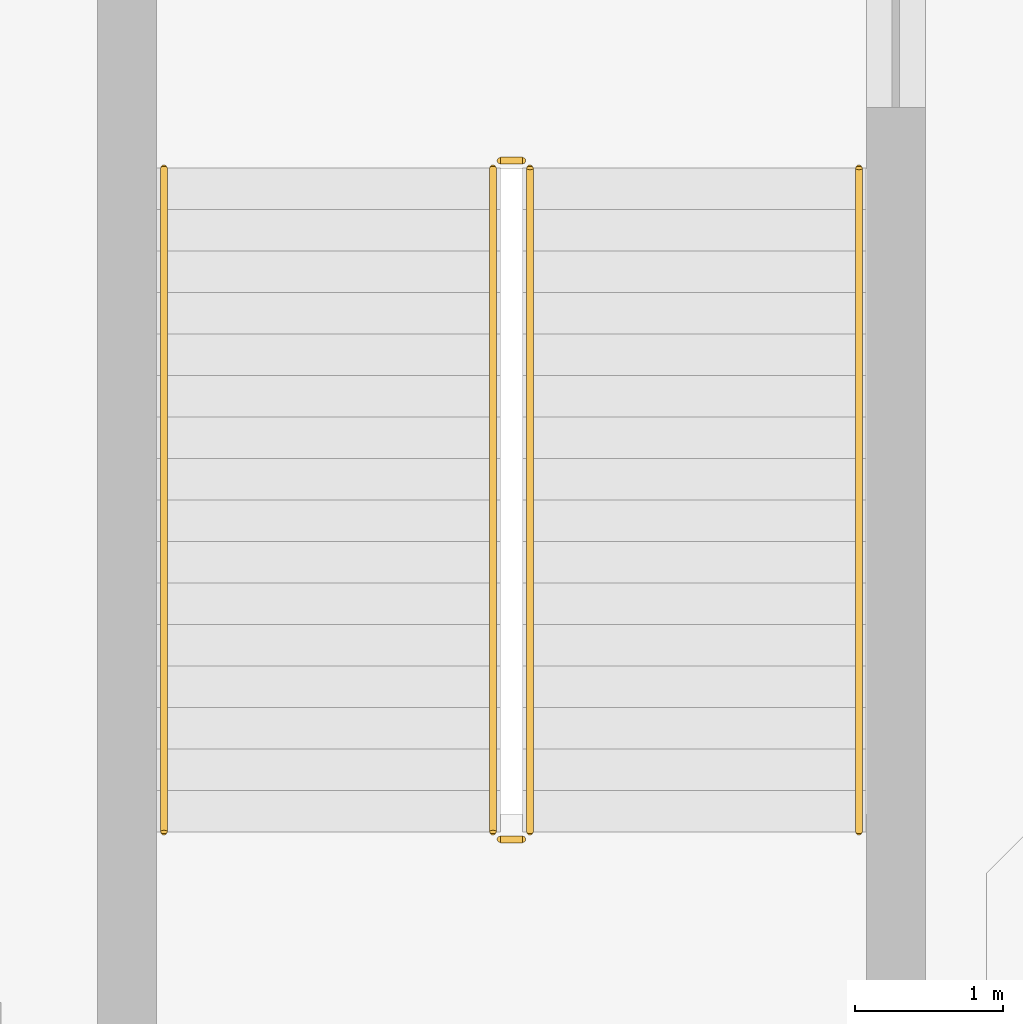
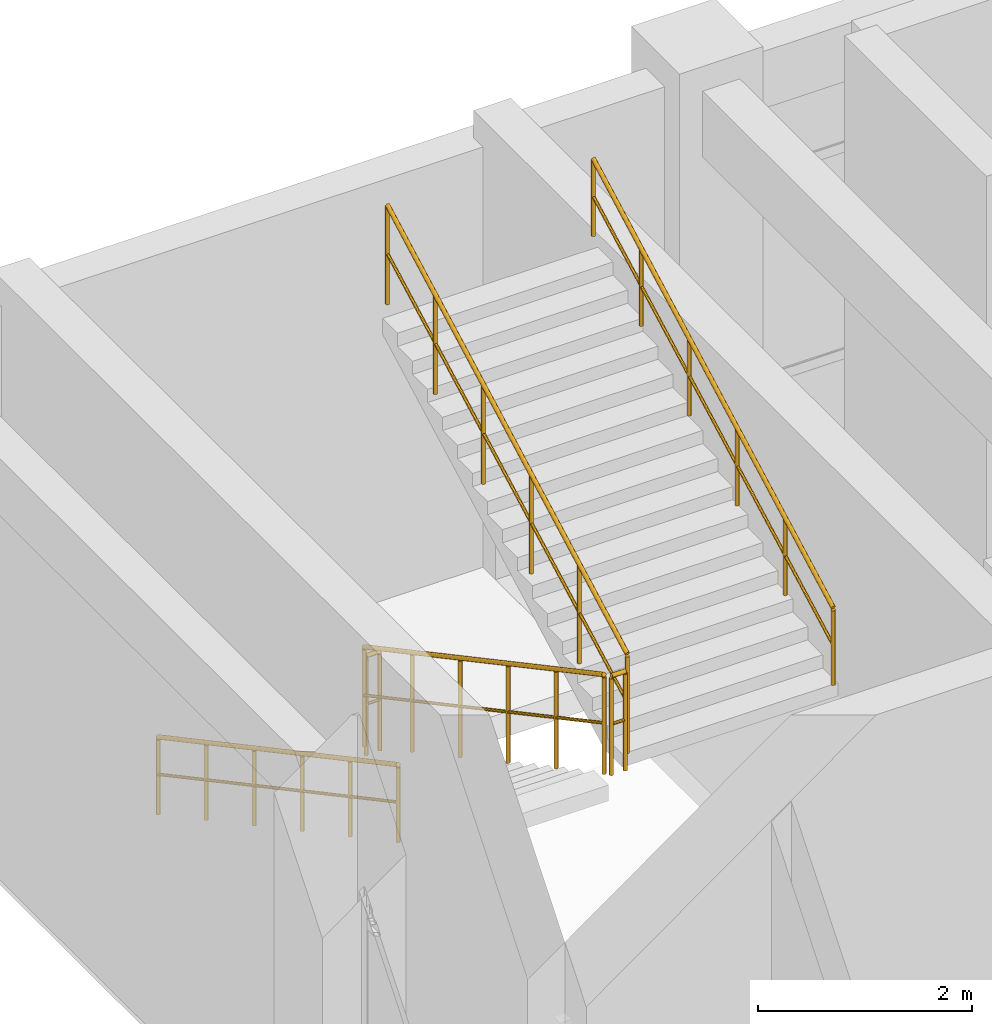
# One storey, part 116 of 120: 6 railings.
"""IFC4 building model written with IfcOpenShell, lengths in metres."""

import ifcopenshell
import ifcopenshell.guid

model = None  # the IFC model being written
_history = None  # IfcOwnerHistory: only IFC2X3 demands one
_inside = {}  # id of a spatial element -> (the spatial element, [elements in it])
_under = {}  # id of a project, library or spatial element -> (it, [spatial elements below it])
_declared = {}  # id of a project -> (the project, [libraries it declares])
_typed = {}  # id of a type object -> (the type object, [elements of that type])
_made_of = {}  # id of a material, layer set ... -> (it, [elements and type objects made of it])


def new_model(schema):
    """Start an empty IFC model of exactly this schema.

    Asked for "IFC4X3", IfcOpenShell would pick the latest addendum, in which some entities
    have other attributes; the version numbers below select the first issue.
    IFC2X3 requires an IfcOwnerHistory on every rooted entity: one is made here for all.
    """
    global model, _history
    if schema == "IFC4X3":
        model = ifcopenshell.file(schema_version=(4, 3, 0, 0))
    else:
        model = ifcopenshell.file(schema=schema)
    _inside.clear()
    _under.clear()
    _declared.clear()
    _typed.clear()
    _made_of.clear()
    _history = None
    if model.schema == "IFC2X3":
        org = make("IfcOrganization", Name="unknown")
        user = make(
            "IfcPersonAndOrganization",
            ThePerson=make("IfcPerson", FamilyName="unknown"),
            TheOrganization=org,
        )
        app = make(
            "IfcApplication",
            ApplicationDeveloper=org,
            Version="unknown",
            ApplicationFullName="unknown",
            ApplicationIdentifier="unknown",
        )
        _history = make(
            "IfcOwnerHistory",
            OwningUser=user,
            OwningApplication=app,
            ChangeAction="ADDED",
            CreationDate=0,
        )
    return model


def make(cls, **values):
    """One entity of the class cls with the attributes given. An attribute that is None is left unset."""
    return model.create_entity(
        cls, **{name: value for name, value in values.items() if value is not None}
    )


def rooted(cls, **values):
    """An entity with a GlobalId (a new one), such as an element, a storey or a relation."""
    return make(cls, GlobalId=ifcopenshell.guid.new(), OwnerHistory=_history, **values)


def si_unit(unit_type, name, prefix=None):
    """IfcSIUnit, for example si_unit("LENGTHUNIT", "METRE", prefix="MILLI")."""
    return make("IfcSIUnit", UnitType=unit_type, Prefix=prefix, Name=name)


def derived_unit(unit_type, elements):
    """IfcDerivedUnit: a product of units, each with its exponent."""
    return make(
        "IfcDerivedUnit",
        Elements=[
            make("IfcDerivedUnitElement", Unit=unit, Exponent=power)
            for unit, power in elements
        ],
        UnitType=unit_type,
    )


def assignment(units):
    """IfcUnitAssignment: the units of a project."""
    return None if units is None else make("IfcUnitAssignment", Units=units)


def point(xyz):
    """IfcCartesianPoint."""
    return None if xyz is None else make("IfcCartesianPoint", Coordinates=xyz)


def direction(xyz):
    """IfcDirection."""
    return None if xyz is None else make("IfcDirection", DirectionRatios=xyz)


def frame(location, z_axis=None, x_axis=None):
    """IfcAxis2Placement3D, a coordinate frame: its origin and axes. An axis left out is left unset."""
    return make(
        "IfcAxis2Placement3D",
        Location=point(location),
        Axis=direction(z_axis),
        RefDirection=direction(x_axis),
    )


def frame_2d(location, x_axis=None):
    """IfcAxis2Placement2D, a coordinate frame in the plane: its origin and x axis."""
    return make(
        "IfcAxis2Placement2D", Location=point(location), RefDirection=direction(x_axis)
    )


def origin():
    """The frame at (0, 0, 0) with its axes left unset."""
    return frame((0.0, 0.0, 0.0))


def origin_2d():
    """The frame at (0, 0) in the plane with its x axis left unset."""
    return frame_2d((0.0, 0.0))


def place(relative_to, where):
    """IfcLocalPlacement: puts the frame where relative to a parent placement (None: the world)."""
    return make(
        "IfcLocalPlacement", PlacementRelTo=relative_to, RelativePlacement=where
    )


def context(
    kind, dimensions, precision=None, world=None, true_north=None, identifier=None
):
    """IfcGeometricRepresentationContext, for example the 3D "Model" context."""
    return make(
        "IfcGeometricRepresentationContext",
        ContextIdentifier=identifier,
        ContextType=kind,
        CoordinateSpaceDimension=dimensions,
        Precision=precision,
        WorldCoordinateSystem=world,
        TrueNorth=true_north,
    )


def subcontext(parent, identifier, kind, view, scale=None):
    """IfcGeometricRepresentationSubContext, for example "Body" below "Model"."""
    return make(
        "IfcGeometricRepresentationSubContext",
        ContextIdentifier=identifier,
        ContextType=kind,
        ParentContext=parent,
        TargetScale=scale,
        TargetView=view,
    )


def project(units=None, contexts=None):
    """IfcProject with its units and contexts."""
    return rooted(
        "IfcProject",
        Name="project",
        RepresentationContexts=contexts,
        UnitsInContext=assignment(units),
    )


def spatial(cls, under=None, at=None, **own):
    """A site, building, storey or space (cls), placed at a placement, below another one or the project."""
    s = rooted(cls, ObjectPlacement=at, **own)
    if under is not None:
        _under.setdefault(under.id(), (under, []))[1].append(s)
    return s


def profile(cls, at=None, kind="AREA", **sizes):
    """A parametric profile (cls). Its sizes go by their IFC names, for example OverallWidth=200.0."""
    return make(cls, ProfileType=kind, Position=at, **sizes)


def circle(**sizes):
    """IfcCircleProfileDef."""
    return profile("IfcCircleProfileDef", **sizes)


def extrude(swept, where, along, depth):
    """IfcExtrudedAreaSolid: the profile swept, set in the frame where, extruded along a direction by depth."""
    return make(
        "IfcExtrudedAreaSolid",
        SweptArea=swept,
        Position=where,
        ExtrudedDirection=direction(along),
        Depth=depth,
    )


def shape(context_of_items, identifier, shape_type, items):
    """IfcShapeRepresentation: the items that make up one representation, for example the "Body"."""
    return make(
        "IfcShapeRepresentation",
        ContextOfItems=context_of_items,
        RepresentationIdentifier=identifier,
        RepresentationType=shape_type,
        Items=items,
    )


def material(Name=None, Category=None):
    """IfcMaterial."""
    return make("IfcMaterial", Name=Name, Category=Category)


def made_of(thing, what):
    """Note that an element or type object is made of a material, layer set ...; save() writes the relation."""
    if what is not None:
        _made_of.setdefault(what.id(), (what, []))[1].append(thing)
    return thing


def type_object(cls, material=None, **own):
    """A type object (cls), such as IfcWallType, which elements share."""
    return made_of(rooted(cls, **own), material)


def element(
    cls,
    number,
    at=None,
    inside=None,
    cuts=None,
    type_object=None,
    material=None,
    context=None,
    identifier="Body",
    shape_type=None,
    held_by="IfcProductDefinitionShape",
    body=None,
    shapes=None,
    **own,
):
    """One element of the class cls, such as IfcWall. Its Tag is "e" and its number.

    at: its placement. inside: the storey or other place that contains it. cuts: it is an
    opening in that element (IfcRelVoidsElement). A single representation is given by context,
    identifier, shape_type and body (its items); several are given by shapes. held_by: the class
    of the entity that holds the representations. save() writes the other relations.
    """
    e = rooted(cls, Tag="e%d" % number, ObjectPlacement=at, **own)
    if body is not None:
        shapes = [shape(context, identifier, shape_type, body)]
    if shapes is not None:
        e.Representation = make(held_by, Representations=shapes)
    if inside is not None:
        _inside.setdefault(inside.id(), (inside, []))[1].append(e)
    if cuts is not None:
        rooted(
            "IfcRelVoidsElement", RelatingBuildingElement=cuts, RelatedOpeningElement=e
        )
    if type_object is not None:
        _typed.setdefault(type_object.id(), (type_object, []))[1].append(e)
    return made_of(e, material)


def aggregate(whole, parts):
    """IfcRelAggregates: a whole, such as a stair, and the parts it consists of."""
    return rooted("IfcRelAggregates", RelatingObject=whole, RelatedObjects=parts)


def save(model, path):
    """Write the relations noted so far, then the file.

    IfcRelAggregates (storeys below a building ...), IfcRelContainedInSpatialStructure (elements
    in a storey), IfcRelDefinesByType, IfcRelAssociatesMaterial and IfcRelDeclares: one each for
    every whole, place, type object, material and project.
    """
    for whole, parts in _under.values():
        aggregate(whole, parts)
    for where, things in _inside.values():
        rooted(
            "IfcRelContainedInSpatialStructure",
            RelatedElements=things,
            RelatingStructure=where,
        )
    for kind, things in _typed.values():
        rooted("IfcRelDefinesByType", RelatedObjects=things, RelatingType=kind)
    for what, things in _made_of.values():
        rooted("IfcRelAssociatesMaterial", RelatedObjects=things, RelatingMaterial=what)
    for by, libraries in _declared.values():
        rooted("IfcRelDeclares", RelatingContext=by, RelatedDefinitions=libraries)
    model.write(path)


model = new_model("IFC4")

# Units and contexts
model_context = context("Model", 3, precision=1e-05, world=origin(), true_north=direction((0.0, 1.0)))
body_context = subcontext(model_context, "Body", "Model", "MODEL_VIEW")
ifc_project = project(units=[si_unit("LENGTHUNIT", "METRE"), si_unit("AREAUNIT", "SQUARE_METRE"), si_unit("VOLUMEUNIT", "CUBIC_METRE"), si_unit("PLANEANGLEUNIT", "RADIAN"), si_unit("MASSUNIT", "GRAM", prefix="KILO"), derived_unit("THERMALTRANSMITTANCEUNIT", [(si_unit("MASSUNIT", "GRAM", prefix="KILO"), 1), (si_unit("TIMEUNIT", "SECOND"), -3), (si_unit("THERMODYNAMICTEMPERATUREUNIT", "KELVIN"), -1)])], contexts=[model_context])

# Site, building, storey
site_placement = place(None, origin())
site = spatial("IfcSite", under=ifc_project, at=site_placement, CompositionType="ELEMENT")
building_placement = place(site_placement, origin())
building = spatial("IfcBuilding", under=site, at=building_placement, Name="Qinzheling Arcade Emporium", CompositionType="ELEMENT")
storey_placement = place(building_placement, frame((0.0, 0.0, 11.39990234375)))
storey = spatial("IfcBuildingStorey", under=building, at=storey_placement, Name="L03", CompositionType="ELEMENT", Elevation=11.39990234375)

# Railings
ifc_material_1 = material(Name="Galvanised powder-coated tubular steel", Category="steel")
railing_type_1 = type_object("IfcRailingType", Name="Painted Steel Stairwell Guard Railing 1150", PredefinedType="GUARDRAIL", material=ifc_material_1)
railing_1_placement = place(storey_placement, frame((38.570068359375, 71.47998046875, 0.150146484375)))
element("IfcRailing", 1, at=railing_1_placement, inside=storey, type_object=railing_type_1, Name="L03 ST03 stair guard 1", PredefinedType="GUARDRAIL", context=body_context, shape_type="SweptSolid", body=[
    extrude(circle(Radius=0.02392578125, at=origin_2d()), frame((0.0, 0.0, 1.1259765625), z_axis=(0.0, -0.881487111273, 0.472208081951), x_axis=(1.0, 0.0, 0.0)), (0.0, 0.0, 1.0), 5.082275390625),
    extrude(circle(Radius=0.01611328125, at=origin_2d()), frame((0.0, 0.0, 0.574951171875), z_axis=(0.0, -0.881487111273, 0.472208081951), x_axis=(1.0, 0.0, 0.0)), (0.0, 0.0, 1.0), 5.082275390625),
    extrude(circle(Radius=0.02099609375, at=origin_2d()), origin(), (0.0, 0.0, 1.0), 1.101806640625),
    extrude(circle(Radius=0.02099609375, at=origin_2d()), frame((0.0, -0.89599609375, 0.47998046875)), (0.0, 0.0, 1.0), 1.101806640625),
    extrude(circle(Radius=0.02099609375, at=origin_2d()), frame((0.0, -1.7919921875, 0.9599609375)), (0.0, 0.0, 1.0), 1.101806640625),
    extrude(circle(Radius=0.02099609375, at=origin_2d()), frame((0.0, -2.68798828125, 1.43994140625)), (0.0, 0.0, 1.0), 1.101806640625),
    extrude(circle(Radius=0.02099609375, at=origin_2d()), frame((0.0, -3.583984375, 1.919921875)), (0.0, 0.0, 1.0), 1.101806640625),
    extrude(circle(Radius=0.02099609375, at=origin_2d()), frame((0.0, -4.47998046875, 2.39990234375)), (0.0, 0.0, 1.0), 1.101806640625),
])
railing_2_placement = place(storey_placement, frame((38.6201171875, 66.949951171875, 2.550048828125)))
element("IfcRailing", 2, at=railing_2_placement, inside=storey, type_object=railing_type_1, Name="L03 ST03 stair guard 2", PredefinedType="GUARDRAIL", context=body_context, shape_type="SweptSolid", body=[
    extrude(circle(Radius=0.02392578125, at=origin_2d()), frame((0.0, 0.0, 1.1259765625), z_axis=(1.0, 0.0, 0.0), x_axis=(0.0, 1.0, 0.0)), (0.0, 0.0, 1.0), 0.14990234375),
    extrude(circle(Radius=0.01611328125, at=origin_2d()), frame((0.0, 0.0, 0.574951171875), z_axis=(1.0, 0.0, 0.0), x_axis=(0.0, 1.0, 0.0)), (0.0, 0.0, 1.0), 0.14990234375),
    extrude(circle(Radius=0.02099609375, at=origin_2d()), origin(), (0.0, 0.0, 1.0), 1.101806640625),
    extrude(circle(Radius=0.02099609375, at=origin_2d()), frame((0.14990234375, 0.0, 0.0)), (0.0, 0.0, 1.0), 1.101806640625),
])
railing_3_placement = place(storey_placement, frame((38.820068359375, 67.0, 2.7001953125)))
element("IfcRailing", 3, at=railing_3_placement, inside=storey, type_object=railing_type_1, Name="L03 ST03 stair guard 3", PredefinedType="GUARDRAIL", context=body_context, shape_type="SweptSolid", body=[
    extrude(circle(Radius=0.02392578125, at=origin_2d()), frame((0.0, 0.0, 1.1259765625), z_axis=(0.0, 0.881487111273, 0.472208081951), x_axis=(-1.0, 0.0, 0.0)), (0.0, 0.0, 1.0), 5.082275390625),
    extrude(circle(Radius=0.01611328125, at=origin_2d()), frame((0.0, 0.0, 0.574951171875), z_axis=(0.0, 0.881487111273, 0.472208081951), x_axis=(-1.0, 0.0, 0.0)), (0.0, 0.0, 1.0), 5.082275390625),
    extrude(circle(Radius=0.02099609375, at=origin_2d()), origin(), (0.0, 0.0, 1.0), 1.101806640625),
    extrude(circle(Radius=0.02099609375, at=origin_2d()), frame((0.0, 0.89599609375, 0.47998046875)), (0.0, 0.0, 1.0), 1.101806640625),
    extrude(circle(Radius=0.02099609375, at=origin_2d()), frame((0.0, 1.7919921875, 0.9599609375)), (0.0, 0.0, 1.0), 1.101806640625),
    extrude(circle(Radius=0.02099609375, at=origin_2d()), frame((0.0, 2.68798828125, 1.43994140625)), (0.0, 0.0, 1.0), 1.101806640625),
    extrude(circle(Radius=0.02099609375, at=origin_2d()), frame((0.0, 3.583984375, 1.919921875)), (0.0, 0.0, 1.0), 1.101806640625),
    extrude(circle(Radius=0.02099609375, at=origin_2d()), frame((0.0, 4.47998046875, 2.39990234375)), (0.0, 0.0, 1.0), 1.101806640625),
])
railing_4_placement = place(storey_placement, frame((38.6201171875, 71.530029296875, 0.0)))
element("IfcRailing", 4, at=railing_4_placement, inside=storey, type_object=railing_type_1, Name="L03 ST03 stair guard 4", PredefinedType="GUARDRAIL", context=body_context, shape_type="SweptSolid", body=[
    extrude(circle(Radius=0.02392578125, at=origin_2d()), frame((0.0, 0.0, 1.1259765625), z_axis=(1.0, 0.0, 0.0), x_axis=(0.0, 1.0, 0.0)), (0.0, 0.0, 1.0), 0.14990234375),
    extrude(circle(Radius=0.01611328125, at=origin_2d()), frame((0.0, 0.0, 0.574951171875), z_axis=(1.0, 0.0, 0.0), x_axis=(0.0, 1.0, 0.0)), (0.0, 0.0, 1.0), 0.14990234375),
    extrude(circle(Radius=0.02099609375, at=origin_2d()), origin(), (0.0, 0.0, 1.0), 1.101806640625),
    extrude(circle(Radius=0.02099609375, at=origin_2d()), frame((0.14990234375, 0.0, 0.0)), (0.0, 0.0, 1.0), 1.101806640625),
])
ifc_material_2 = material(Name="Brushed stainless steel 304", Category="steel")
railing_type_2 = type_object("IfcRailingType", Name="Stainless Steel Wall Handrail 900", PredefinedType="HANDRAIL", material=ifc_material_2)
railing_5_placement = place(storey_placement, frame((36.35009765625, 71.47998046875, 0.150146484375)))
element("IfcRailing", 5, at=railing_5_placement, inside=storey, type_object=railing_type_2, Name="L03 ST03 stair handrail 1", PredefinedType="HANDRAIL", context=body_context, shape_type="SweptSolid", body=[
    extrude(circle(Radius=0.02392578125, at=origin_2d()), frame((0.0, 0.0, 0.8759765625), z_axis=(0.0, -0.881487111273, 0.472208081951), x_axis=(1.0, 0.0, 0.0)), (0.0, 0.0, 1.0), 5.082275390625),
    extrude(circle(Radius=0.01611328125, at=origin_2d()), frame((0.0, 0.0, 0.449951171875), z_axis=(0.0, -0.881487111273, 0.472208081951), x_axis=(1.0, 0.0, 0.0)), (0.0, 0.0, 1.0), 5.082275390625),
    extrude(circle(Radius=0.02099609375, at=origin_2d()), origin(), (0.0, 0.0, 1.0), 0.851806640625),
    extrude(circle(Radius=0.02099609375, at=origin_2d()), frame((0.0, -0.89599609375, 0.47998046875)), (0.0, 0.0, 1.0), 0.851806640625),
    extrude(circle(Radius=0.02099609375, at=origin_2d()), frame((0.0, -1.7919921875, 0.9599609375)), (0.0, 0.0, 1.0), 0.851806640625),
    extrude(circle(Radius=0.02099609375, at=origin_2d()), frame((0.0, -2.68798828125, 1.43994140625)), (0.0, 0.0, 1.0), 0.851806640625),
    extrude(circle(Radius=0.02099609375, at=origin_2d()), frame((0.0, -3.583984375, 1.919921875)), (0.0, 0.0, 1.0), 0.851806640625),
    extrude(circle(Radius=0.02099609375, at=origin_2d()), frame((0.0, -4.47998046875, 2.39990234375)), (0.0, 0.0, 1.0), 0.851806640625),
])
railing_6_placement = place(storey_placement, frame((41.0400390625, 67.0, 2.7001953125)))
element("IfcRailing", 6, at=railing_6_placement, inside=storey, type_object=railing_type_2, Name="L03 ST03 stair handrail 2", PredefinedType="HANDRAIL", context=body_context, shape_type="SweptSolid", body=[
    extrude(circle(Radius=0.02392578125, at=origin_2d()), frame((0.0, 0.0, 0.8759765625), z_axis=(0.0, 0.881487111273, 0.472208081951), x_axis=(-1.0, 0.0, 0.0)), (0.0, 0.0, 1.0), 5.082275390625),
    extrude(circle(Radius=0.01611328125, at=origin_2d()), frame((0.0, 0.0, 0.449951171875), z_axis=(0.0, 0.881487111273, 0.472208081951), x_axis=(-1.0, 0.0, 0.0)), (0.0, 0.0, 1.0), 5.082275390625),
    extrude(circle(Radius=0.02099609375, at=origin_2d()), origin(), (0.0, 0.0, 1.0), 0.851806640625),
    extrude(circle(Radius=0.02099609375, at=origin_2d()), frame((0.0, 0.89599609375, 0.47998046875)), (0.0, 0.0, 1.0), 0.851806640625),
    extrude(circle(Radius=0.02099609375, at=origin_2d()), frame((0.0, 1.7919921875, 0.9599609375)), (0.0, 0.0, 1.0), 0.851806640625),
    extrude(circle(Radius=0.02099609375, at=origin_2d()), frame((0.0, 2.68798828125, 1.43994140625)), (0.0, 0.0, 1.0), 0.851806640625),
    extrude(circle(Radius=0.02099609375, at=origin_2d()), frame((0.0, 3.583984375, 1.919921875)), (0.0, 0.0, 1.0), 0.851806640625),
    extrude(circle(Radius=0.02099609375, at=origin_2d()), frame((0.0, 4.47998046875, 2.39990234375)), (0.0, 0.0, 1.0), 0.851806640625),
])

save(model, "model.ifc")
